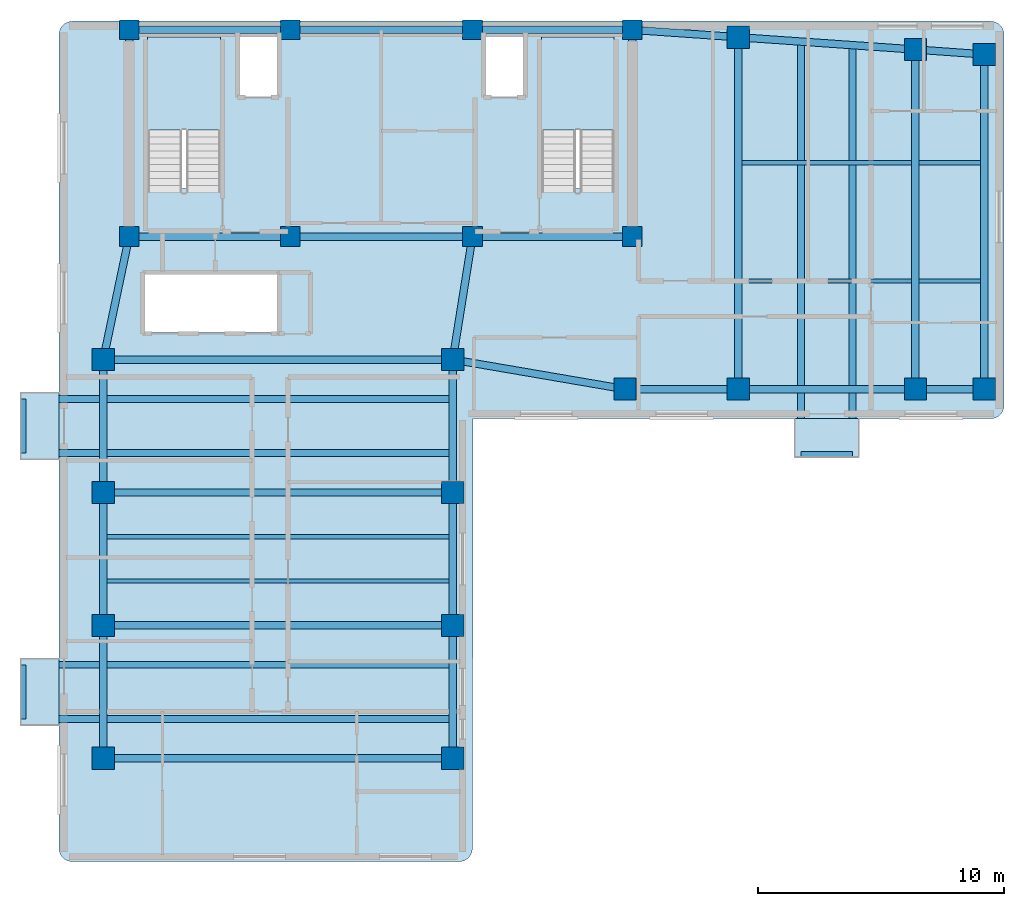
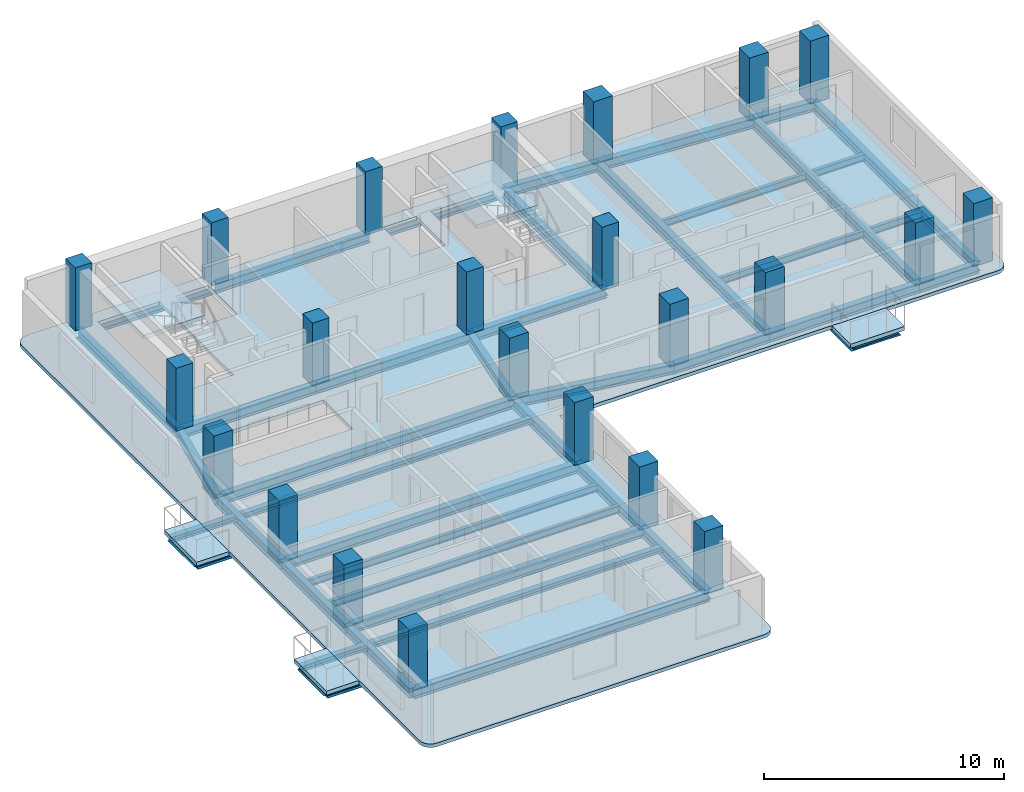
# One storey, part 1 of 7: 45 beams, 23 columns, 6 slabs, 2 elements without a shape of their own.
"""IFC4 building model written with IfcOpenShell, lengths in metres."""

from ifc_helpers import new_model, si_unit, direction, frame, origin, origin_2d, place, context, subcontext, project, spatial, polyline, rectangle, i_section, outline, extrude, material, layer, layer_set, material_profile, profile_set, type_object, element, aggregate, save


model = new_model("IFC4")

# Units and contexts
model_context = context("Model", 3, precision=1e-05, world=origin(), true_north=direction((0.0, 1.0)))
body_context = subcontext(model_context, "Body", "Model", "MODEL_VIEW")
ifc_project = project(units=[si_unit("LENGTHUNIT", "METRE"), si_unit("AREAUNIT", "SQUARE_METRE"), si_unit("VOLUMEUNIT", "CUBIC_METRE"), si_unit("PLANEANGLEUNIT", "RADIAN"), si_unit("MASSUNIT", "GRAM", prefix="KILO")], contexts=[model_context])

# Site, building, storey
site_placement = place(None, origin())
site = spatial("IfcSite", under=ifc_project, at=site_placement, CompositionType="ELEMENT")
building_placement = place(site_placement, origin())
building = spatial("IfcBuilding", under=site, at=building_placement, Name="Kuzgunbayir Cultural Tower", CompositionType="ELEMENT")
storey_placement = place(building_placement, frame((0.0, 0.0, 198.39990234375)))
storey = spatial("IfcBuildingStorey", under=building, at=storey_placement, Name="L58", CompositionType="ELEMENT", Elevation=198.39990234375)

# Columns
ifc_material_1 = material(Name="Concrete C50/60", Category="concrete")
ifc_material_profile_1 = material_profile(ifc_material_1, rectangle(XDim=0.800048828125, YDim=0.800048828125, at=origin_2d()), Name="RC 800x800")
ifc_profile_set_1 = profile_set([ifc_material_profile_1], Name="Concrete C50/60")
column_type_1 = type_object("IfcColumnType", Name="COL-CORE-800", PredefinedType="COLUMN", material=ifc_profile_set_1)
for number, where, z_axis, x_axis, name in (
    (1, (6.449951171875, 33.800048828125, 0.0), (0.0, 0.0, 1.0), (1.0, 0.0, 0.0), "L58 T1 Core Boundary Column CC1-1"),
    (2, (13.0, 33.800048828125, 0.0), (0.0, 0.0, 1.0), (1.0, 0.0, 0.0), "L58 T1 Core Boundary Column CC1-2"),
    (3, (20.39990234375, 33.800048828125, 0.0), (0.0, 0.0, 1.0), (1.0, 0.0, 0.0), "L58 T1 Core Boundary Column CC1-3"),
    (4, (26.89990234375, 33.800048828125, 0.0), (0.0, 0.0, 1.0), (1.0, 0.0, 0.0), "L58 T1 Core Boundary Column CC1-4"),
    (5, (6.449951171875, 42.199951171875, 0.0), (0.0, 0.0, 1.0), (1.0, 0.0, 0.0), "L58 T1 Core Boundary Column CC1-5"),
    (6, (13.0, 42.199951171875, 0.0), (0.0, 0.0, 1.0), (1.0, 0.0, 0.0), "L58 T1 Core Boundary Column CC1-6"),
    (7, (20.39990234375, 42.199951171875, 0.0), (0.0, 0.0, 1.0), (1.0, 0.0, 0.0), "L58 T1 Core Boundary Column CC1-7"),
    (8, (26.89990234375, 42.199951171875, 0.0), (0.0, 0.0, 1.0), (1.0, 0.0, 0.0), "L58 T1 Core Boundary Column CC1-8"),
):
    element("IfcColumn", number, at=place(storey_placement, frame(where, z_axis=z_axis, x_axis=x_axis)), inside=storey, type_object=column_type_1, Name=name, PredefinedType="COLUMN", context=body_context, shape_type="SweptSolid", body=[
        extrude(rectangle(XDim=0.800048828125, YDim=0.800048828125, at=origin_2d()), origin(), (0.0, 0.0, 1.0), 3.2001953125),
    ])
ifc_material_profile_2 = material_profile(ifc_material_1, rectangle(XDim=0.89990234375, YDim=0.89990234375, at=origin_2d()), Name="RC 900x900")
ifc_profile_set_2 = profile_set([ifc_material_profile_2], Name="Concrete C50/60")
column_type_2 = type_object("IfcColumnType", Name="COL-T1-900", PredefinedType="COLUMN", material=ifc_profile_set_2)
for number, where, z_axis, x_axis, name in (
    (9, (5.39990234375, 12.60009765625, 0.0), (0.0, 0.0, 1.0), (1.0, 0.0, 0.0), "L58 Tower 1 Wing A Column T1A-W-1"),
    (10, (19.60009765625, 12.60009765625, 0.0), (0.0, 0.0, 1.0), (1.0, 0.0, 0.0), "L58 Tower 1 Wing A Column T1A-E-1"),
    (11, (5.39990234375, 18.0, 0.0), (0.0, 0.0, 1.0), (1.0, 0.0, 0.0), "L58 Tower 1 Wing A Column T1A-W-2"),
    (12, (19.60009765625, 18.0, 0.0), (0.0, 0.0, 1.0), (1.0, 0.0, 0.0), "L58 Tower 1 Wing A Column T1A-E-2"),
    (13, (5.39990234375, 23.39990234375, 0.0), (0.0, 0.0, 1.0), (1.0, 0.0, 0.0), "L58 Tower 1 Wing A Column T1A-W-3"),
    (14, (19.60009765625, 23.39990234375, 0.0), (0.0, 0.0, 1.0), (1.0, 0.0, 0.0), "L58 Tower 1 Wing A Column T1A-E-3"),
    (15, (5.39990234375, 28.800048828125, 0.0), (0.0, 0.0, 1.0), (1.0, 0.0, 0.0), "L58 Tower 1 Wing A Column T1A-W-4"),
    (16, (19.60009765625, 28.800048828125, 0.0), (0.0, 0.0, 1.0), (1.0, 0.0, 0.0), "L58 Tower 1 Wing A Column T1A-E-4"),
    (17, (26.60009765625, 27.60009765625, 0.0), (0.0, 0.0, 1.0), (1.0, 0.0, 0.0), "L58 Tower 1 Wing B Column T1B-1-1"),
    (18, (31.199951171875, 27.60009765625, 0.0), (0.0, 0.0, 1.0), (1.0, 0.0, 0.0), "L58 Tower 1 Wing B Column T1B-2-1"),
    (19, (31.199951171875, 41.89990234375, 0.0), (0.0, 0.0, 1.0), (1.0, 0.0, 0.0), "L58 Tower 1 Wing B Column T1B-2-2"),
    (20, (38.39990234375, 27.60009765625, 0.0), (0.0, 0.0, 1.0), (1.0, 0.0, 0.0), "L58 Tower 1 Wing B Column T1B-3-1"),
    (21, (38.39990234375, 41.39990234375, 0.0), (0.0, 0.0, 1.0), (1.0, 0.0, 0.0), "L58 Tower 1 Wing B Column T1B-3-2"),
    (22, (41.199951171875, 27.60009765625, 0.0), (0.0, 0.0, 1.0), (1.0, 0.0, 0.0), "L58 Tower 1 Wing B Column T1B-4-1"),
    (23, (41.199951171875, 41.199951171875, 0.0), (0.0, 0.0, 1.0), (1.0, 0.0, 0.0), "L58 Tower 1 Wing B Column T1B-4-2"),
):
    element("IfcColumn", number, at=place(storey_placement, frame(where, z_axis=z_axis, x_axis=x_axis)), inside=storey, type_object=column_type_2, Name=name, PredefinedType="COLUMN", context=body_context, shape_type="SweptSolid", body=[
        extrude(rectangle(XDim=0.89990234375, YDim=0.89990234375, at=origin_2d()), origin(), (0.0, 0.0, 1.0), 3.2001953125),
    ])

# Beams
ifc_material_2 = material(Name="Steel S355J2", Category="steel")
ifc_material_profile_3 = material_profile(ifc_material_2, i_section(OverallWidth=0.280029296875, OverallDepth=0.280029296875, WebThickness=0.010498046875, FlangeThickness=0.01806640625, FilletRadius=0.02392578125, at=origin_2d()), Name="HEB 280")
ifc_profile_set_3 = profile_set([ifc_material_profile_3], Name="Steel S355J2")
beam_type_1 = type_object("IfcBeamType", Name="BM-BAL-HEB280", PredefinedType="BEAM", material=ifc_profile_set_3)
for number, where, z_axis, x_axis, name in (
    (24, (2.159912109375, 14.199951171875, -0.33984375), (1.0, 0.0, 0.0), (0.0, 1.0, 0.0), "L58 Balcony Outrigger Beam BAL-L58-WA1.1"),
    (25, (2.159912109375, 16.39990234375, -0.33984375), (1.0, 0.0, 0.0), (0.0, 1.0, 0.0), "L58 Balcony Outrigger Beam BAL-L58-WA1.2"),
    (26, (2.159912109375, 25.0, -0.33984375), (1.0, 0.0, 0.0), (0.0, 1.0, 0.0), "L58 Balcony Outrigger Beam BAL-L58-WA3.1"),
    (27, (2.159912109375, 27.199951171875, -0.33984375), (1.0, 0.0, 0.0), (0.0, 1.0, 0.0), "L58 Balcony Outrigger Beam BAL-L58-WA3.2"),
):
    element("IfcBeam", number, at=place(storey_placement, frame(where, z_axis=z_axis, x_axis=x_axis)), inside=storey, type_object=beam_type_1, Name=name, PredefinedType="BEAM", context=body_context, shape_type="SweptSolid", body=[
        extrude(i_section(OverallWidth=0.280029296875, OverallDepth=0.280029296875, WebThickness=0.010498046875, FlangeThickness=0.01806640625, FilletRadius=0.02392578125, at=origin_2d()), origin(), (0.0, 0.0, 1.0), 17.440185546875),
    ])
beam_1_placement = place(storey_placement, frame((33.75, 24.9599609375, -0.33984375), z_axis=(0.0, 1.0, 0.0), x_axis=(-1.0, 0.0, 0.0)))
element("IfcBeam", 28, at=beam_1_placement, inside=storey, type_object=beam_type_1, Name="L58 Balcony Outrigger Beam BAL-L58-WB2.1", PredefinedType="BEAM", context=body_context, shape_type="SweptSolid", body=[
    extrude(i_section(OverallWidth=0.280029296875, OverallDepth=0.280029296875, WebThickness=0.010498046875, FlangeThickness=0.01806640625, FilletRadius=0.02392578125, at=origin_2d()), origin(), (0.0, 0.0, 1.0), 16.760009765625),
])
beam_2_placement = place(storey_placement, frame((35.85009765625, 24.9599609375, -0.33984375), z_axis=(0.0, 1.0, 0.0), x_axis=(-1.0, 0.0, 0.0)))
element("IfcBeam", 29, at=beam_2_placement, inside=storey, type_object=beam_type_1, Name="L58 Balcony Outrigger Beam BAL-L58-WB2.2", PredefinedType="BEAM", context=body_context, shape_type="SweptSolid", body=[
    extrude(i_section(OverallWidth=0.280029296875, OverallDepth=0.280029296875, WebThickness=0.010498046875, FlangeThickness=0.01806640625, FilletRadius=0.02392578125, at=origin_2d()), origin(), (0.0, 0.0, 1.0), 16.6201171875),
])
ifc_material_profile_4 = material_profile(ifc_material_2, i_section(OverallWidth=0.199951171875, OverallDepth=0.199951171875, WebThickness=0.009033203125, FlangeThickness=0.014892578125, FilletRadius=0.01806640625, at=origin_2d()), Name="HEB 200")
ifc_profile_set_4 = profile_set([ifc_material_profile_4], Name="Steel S355J2")
beam_type_2 = type_object("IfcBeamType", Name="BM-CAN-HEB200", PredefinedType="BEAM", material=ifc_profile_set_4)
for number, where, z_axis, x_axis, name in (
    (30, (2.159912109375, 14.199951171875, -0.2998046875), (0.0, 1.0, 0.0), (-1.0, 0.0, 0.0), "L58 Balcony Edge Header BAL-L58-WA1"),
    (31, (2.159912109375, 25.0, -0.2998046875), (0.0, 1.0, 0.0), (-1.0, 0.0, 0.0), "L58 Balcony Edge Header BAL-L58-WA3"),
):
    element("IfcBeam", number, at=place(storey_placement, frame(where, z_axis=z_axis, x_axis=x_axis)), inside=storey, type_object=beam_type_2, Name=name, PredefinedType="BEAM", context=body_context, shape_type="SweptSolid", body=[
        extrude(i_section(OverallWidth=0.199951171875, OverallDepth=0.199951171875, WebThickness=0.009033203125, FlangeThickness=0.014892578125, FilletRadius=0.01806640625, at=origin_2d()), origin(), (0.0, 0.0, 1.0), 2.199951171875),
    ])
beam_3_placement = place(storey_placement, frame((33.75, 24.9599609375, -0.2998046875), z_axis=(1.0, 0.0, 0.0), x_axis=(0.0, 1.0, 0.0)))
element("IfcBeam", 32, at=beam_3_placement, inside=storey, type_object=beam_type_2, Name="L58 Balcony Edge Header BAL-L58-WB2", PredefinedType="BEAM", context=body_context, shape_type="SweptSolid", body=[
    extrude(i_section(OverallWidth=0.199951171875, OverallDepth=0.199951171875, WebThickness=0.009033203125, FlangeThickness=0.014892578125, FilletRadius=0.01806640625, at=origin_2d()), origin(), (0.0, 0.0, 1.0), 2.10009765625),
])
ifc_material_profile_5 = material_profile(ifc_material_2, i_section(OverallWidth=0.300048828125, OverallDepth=0.5, WebThickness=0.014404296875, FlangeThickness=0.028076171875, FilletRadius=0.027099609375, at=origin_2d()), Name="HEB 500")
ifc_profile_set_5 = profile_set([ifc_material_profile_5], Name="Steel S355J2")
beam_type_3 = type_object("IfcBeamType", Name="BM-EXT-HEB500", PredefinedType="BEAM", material=ifc_profile_set_5)
for number, where, z_axis, x_axis, name in (
    (33, (5.39990234375, 12.60009765625, -0.429931640625), (0.0, 1.0, 0.0), (-1.0, 0.0, 0.0), "L58 Wing A West Girder 1"),
    (34, (19.60009765625, 12.60009765625, -0.429931640625), (0.0, 1.0, 0.0), (-1.0, 0.0, 0.0), "L58 Wing A East Girder 1"),
    (35, (5.39990234375, 18.0, -0.429931640625), (0.0, 1.0, 0.0), (-1.0, 0.0, 0.0), "L58 Wing A West Girder 2"),
    (36, (19.60009765625, 18.0, -0.429931640625), (0.0, 1.0, 0.0), (-1.0, 0.0, 0.0), "L58 Wing A East Girder 2"),
):
    element("IfcBeam", number, at=place(storey_placement, frame(where, z_axis=z_axis, x_axis=x_axis)), inside=storey, type_object=beam_type_3, Name=name, PredefinedType="BEAM", context=body_context, shape_type="SweptSolid", body=[
        extrude(i_section(OverallWidth=0.300048828125, OverallDepth=0.5, WebThickness=0.014404296875, FlangeThickness=0.028076171875, FilletRadius=0.027099609375, at=origin_2d()), origin(), (0.0, 0.0, 1.0), 5.39990234375),
    ])
for number, where, z_axis, x_axis, name in (
    (37, (5.39990234375, 23.39990234375, -0.429931640625), (0.0, 1.0, 0.0), (-1.0, 0.0, 0.0), "L58 Wing A West Girder 3"),
    (38, (19.60009765625, 23.39990234375, -0.429931640625), (0.0, 1.0, 0.0), (-1.0, 0.0, 0.0), "L58 Wing A East Girder 3"),
):
    element("IfcBeam", number, at=place(storey_placement, frame(where, z_axis=z_axis, x_axis=x_axis)), inside=storey, type_object=beam_type_3, Name=name, PredefinedType="BEAM", context=body_context, shape_type="SweptSolid", body=[
        extrude(i_section(OverallWidth=0.300048828125, OverallDepth=0.5, WebThickness=0.014404296875, FlangeThickness=0.028076171875, FilletRadius=0.027099609375, at=origin_2d()), origin(), (0.0, 0.0, 1.0), 5.400146484375),
    ])
beam_4_placement = place(storey_placement, frame((26.60009765625, 27.60009765625, -0.429931640625), z_axis=(1.0, 0.0, 0.0), x_axis=(0.0, 1.0, 0.0)))
element("IfcBeam", 39, at=beam_4_placement, inside=storey, type_object=beam_type_3, Name="L58 Wing B South Girder 1", PredefinedType="BEAM", context=body_context, shape_type="SweptSolid", body=[
    extrude(i_section(OverallWidth=0.300048828125, OverallDepth=0.5, WebThickness=0.014404296875, FlangeThickness=0.028076171875, FilletRadius=0.027099609375, at=origin_2d()), origin(), (0.0, 0.0, 1.0), 4.599853515625),
])
beam_5_placement = place(storey_placement, frame((26.89990234375, 42.199951171875, -0.429931640625), z_axis=(0.997574369175, -0.069608749203, 0.0), x_axis=(0.069608749203, 0.997574369175, 0.0)))
element("IfcBeam", 40, at=beam_5_placement, inside=storey, type_object=beam_type_3, Name="L58 Wing B North Girder 1", PredefinedType="BEAM", context=body_context, shape_type="SweptSolid", body=[
    extrude(i_section(OverallWidth=0.300048828125, OverallDepth=0.5, WebThickness=0.014404296875, FlangeThickness=0.028076171875, FilletRadius=0.027099609375, at=origin_2d()), origin(), (0.0, 0.0, 1.0), 4.310546875),
])
beam_6_placement = place(storey_placement, frame((31.199951171875, 27.60009765625, -0.429931640625), z_axis=(1.0, 0.0, 0.0), x_axis=(0.0, 1.0, 0.0)))
element("IfcBeam", 41, at=beam_6_placement, inside=storey, type_object=beam_type_3, Name="L58 Wing B South Girder 2", PredefinedType="BEAM", context=body_context, shape_type="SweptSolid", body=[
    extrude(i_section(OverallWidth=0.300048828125, OverallDepth=0.5, WebThickness=0.014404296875, FlangeThickness=0.028076171875, FilletRadius=0.027099609375, at=origin_2d()), origin(), (0.0, 0.0, 1.0), 7.199951171875),
])
beam_7_placement = place(storey_placement, frame((31.199951171875, 41.89990234375, -0.429931640625), z_axis=(0.997597388498, -0.069278066245, 0.0), x_axis=(0.069278066245, 0.997597388498, 0.0)))
element("IfcBeam", 42, at=beam_7_placement, inside=storey, type_object=beam_type_3, Name="L58 Wing B North Girder 2", PredefinedType="BEAM", context=body_context, shape_type="SweptSolid", body=[
    extrude(i_section(OverallWidth=0.300048828125, OverallDepth=0.5, WebThickness=0.014404296875, FlangeThickness=0.028076171875, FilletRadius=0.027099609375, at=origin_2d()), origin(), (0.0, 0.0, 1.0), 7.21728515625),
])
beam_8_placement = place(storey_placement, frame((38.39990234375, 27.60009765625, -0.429931640625), z_axis=(1.0, 0.0, 0.0), x_axis=(0.0, 1.0, 0.0)))
element("IfcBeam", 43, at=beam_8_placement, inside=storey, type_object=beam_type_3, Name="L58 Wing B South Girder 3", PredefinedType="BEAM", context=body_context, shape_type="SweptSolid", body=[
    extrude(i_section(OverallWidth=0.300048828125, OverallDepth=0.5, WebThickness=0.014404296875, FlangeThickness=0.028076171875, FilletRadius=0.027099609375, at=origin_2d()), origin(), (0.0, 0.0, 1.0), 2.800048828125),
])
beam_9_placement = place(storey_placement, frame((38.39990234375, 41.39990234375, -0.429931640625), z_axis=(0.997460024076, -0.071228508128, 0.0), x_axis=(0.071228508128, 0.997460024076, 0.0)))
element("IfcBeam", 44, at=beam_9_placement, inside=storey, type_object=beam_type_3, Name="L58 Wing B North Girder 3", PredefinedType="BEAM", context=body_context, shape_type="SweptSolid", body=[
    extrude(i_section(OverallWidth=0.300048828125, OverallDepth=0.5, WebThickness=0.014404296875, FlangeThickness=0.028076171875, FilletRadius=0.027099609375, at=origin_2d()), origin(), (0.0, 0.0, 1.0), 2.80712890625),
])
ifc_material_profile_6 = material_profile(ifc_material_2, i_section(OverallWidth=0.300048828125, OverallDepth=0.5, WebThickness=0.014404296875, FlangeThickness=0.028076171875, FilletRadius=0.027099609375, at=origin_2d()), Name="HEB 500")
ifc_profile_set_6 = profile_set([ifc_material_profile_6], Name="Steel S355J2")
beam_type_4 = type_object("IfcBeamType", Name="BM-GIR-HEB500", PredefinedType="BEAM", material=ifc_profile_set_6)
beam_10_placement = place(storey_placement, frame((6.449951171875, 33.800048828125, -0.429931640625), z_axis=(1.0, 0.0, 0.0), x_axis=(0.0, 1.0, 0.0)))
element("IfcBeam", 45, at=beam_10_placement, inside=storey, type_object=beam_type_4, Name="L58 Core South Girder 1", PredefinedType="BEAM", context=body_context, shape_type="SweptSolid", body=[
    extrude(i_section(OverallWidth=0.300048828125, OverallDepth=0.5, WebThickness=0.014404296875, FlangeThickness=0.028076171875, FilletRadius=0.027099609375, at=origin_2d()), origin(), (0.0, 0.0, 1.0), 6.550048828125),
])
beam_11_placement = place(storey_placement, frame((13.0, 33.800048828125, -0.429931640625), z_axis=(1.0, 0.0, 0.0), x_axis=(0.0, 1.0, 0.0)))
element("IfcBeam", 46, at=beam_11_placement, inside=storey, type_object=beam_type_4, Name="L58 Core South Girder 2", PredefinedType="BEAM", context=body_context, shape_type="SweptSolid", body=[
    extrude(i_section(OverallWidth=0.300048828125, OverallDepth=0.5, WebThickness=0.014404296875, FlangeThickness=0.028076171875, FilletRadius=0.027099609375, at=origin_2d()), origin(), (0.0, 0.0, 1.0), 7.39990234375),
])
beam_12_placement = place(storey_placement, frame((20.39990234375, 33.800048828125, -0.429931640625), z_axis=(1.0, 0.0, 0.0), x_axis=(0.0, 1.0, 0.0)))
element("IfcBeam", 47, at=beam_12_placement, inside=storey, type_object=beam_type_4, Name="L58 Core South Girder 3", PredefinedType="BEAM", context=body_context, shape_type="SweptSolid", body=[
    extrude(i_section(OverallWidth=0.300048828125, OverallDepth=0.5, WebThickness=0.014404296875, FlangeThickness=0.028076171875, FilletRadius=0.027099609375, at=origin_2d()), origin(), (0.0, 0.0, 1.0), 6.5),
])
beam_13_placement = place(storey_placement, frame((6.449951171875, 42.199951171875, -0.429931640625), z_axis=(1.0, 0.0, 0.0), x_axis=(0.0, 1.0, 0.0)))
element("IfcBeam", 48, at=beam_13_placement, inside=storey, type_object=beam_type_4, Name="L58 Core North Girder 1", PredefinedType="BEAM", context=body_context, shape_type="SweptSolid", body=[
    extrude(i_section(OverallWidth=0.300048828125, OverallDepth=0.5, WebThickness=0.014404296875, FlangeThickness=0.028076171875, FilletRadius=0.027099609375, at=origin_2d()), origin(), (0.0, 0.0, 1.0), 6.550048828125),
])
beam_14_placement = place(storey_placement, frame((13.0, 42.199951171875, -0.429931640625), z_axis=(1.0, 0.0, 0.0), x_axis=(0.0, 1.0, 0.0)))
element("IfcBeam", 49, at=beam_14_placement, inside=storey, type_object=beam_type_4, Name="L58 Core North Girder 2", PredefinedType="BEAM", context=body_context, shape_type="SweptSolid", body=[
    extrude(i_section(OverallWidth=0.300048828125, OverallDepth=0.5, WebThickness=0.014404296875, FlangeThickness=0.028076171875, FilletRadius=0.027099609375, at=origin_2d()), origin(), (0.0, 0.0, 1.0), 7.39990234375),
])
beam_15_placement = place(storey_placement, frame((20.39990234375, 42.199951171875, -0.429931640625), z_axis=(1.0, 0.0, 0.0), x_axis=(0.0, 1.0, 0.0)))
element("IfcBeam", 50, at=beam_15_placement, inside=storey, type_object=beam_type_4, Name="L58 Core North Girder 3", PredefinedType="BEAM", context=body_context, shape_type="SweptSolid", body=[
    extrude(i_section(OverallWidth=0.300048828125, OverallDepth=0.5, WebThickness=0.014404296875, FlangeThickness=0.028076171875, FilletRadius=0.027099609375, at=origin_2d()), origin(), (0.0, 0.0, 1.0), 6.5),
])
for number, where, z_axis, x_axis, name in (
    (51, (6.449951171875, 33.800048828125, -0.429931640625), (0.0, 1.0, 0.0), (-1.0, 0.0, 0.0), "L58 Core West Edge Girder"),
    (52, (26.89990234375, 33.800048828125, -0.429931640625), (0.0, 1.0, 0.0), (-1.0, 0.0, 0.0), "L58 Core East Edge Girder"),
):
    element("IfcBeam", number, at=place(storey_placement, frame(where, z_axis=z_axis, x_axis=x_axis)), inside=storey, type_object=beam_type_4, Name=name, PredefinedType="BEAM", context=body_context, shape_type="SweptSolid", body=[
        extrude(i_section(OverallWidth=0.300048828125, OverallDepth=0.5, WebThickness=0.014404296875, FlangeThickness=0.028076171875, FilletRadius=0.027099609375, at=origin_2d()), origin(), (0.0, 0.0, 1.0), 8.39990234375),
    ])
for number, where, z_axis, x_axis, name in (
    (53, (5.39990234375, 12.60009765625, -0.429931640625), (1.0, 0.0, 0.0), (0.0, 1.0, 0.0), "L58 Wing A Transverse Girder 1"),
    (54, (5.39990234375, 18.0, -0.429931640625), (1.0, 0.0, 0.0), (0.0, 1.0, 0.0), "L58 Wing A Transverse Girder 2"),
    (55, (5.39990234375, 23.39990234375, -0.429931640625), (1.0, 0.0, 0.0), (0.0, 1.0, 0.0), "L58 Wing A Transverse Girder 3"),
    (56, (5.39990234375, 28.800048828125, -0.429931640625), (1.0, 0.0, 0.0), (0.0, 1.0, 0.0), "L58 Wing A Transverse Girder 4"),
):
    element("IfcBeam", number, at=place(storey_placement, frame(where, z_axis=z_axis, x_axis=x_axis)), inside=storey, type_object=beam_type_4, Name=name, PredefinedType="BEAM", context=body_context, shape_type="SweptSolid", body=[
        extrude(i_section(OverallWidth=0.300048828125, OverallDepth=0.5, WebThickness=0.014404296875, FlangeThickness=0.028076171875, FilletRadius=0.027099609375, at=origin_2d()), origin(), (0.0, 0.0, 1.0), 14.2001953125),
    ])
beam_16_placement = place(storey_placement, frame((5.39990234375, 28.800048828125, -0.429931640625), z_axis=(0.205526387753, 0.978651574329, 0.0), x_axis=(-0.978651574329, 0.205526387753, 0.0)))
element("IfcBeam", 57, at=beam_16_placement, inside=storey, type_object=beam_type_4, Name="L58 Wing A West Core Floor Girder", PredefinedType="BEAM", context=body_context, shape_type="SweptSolid", body=[
    extrude(i_section(OverallWidth=0.300048828125, OverallDepth=0.5, WebThickness=0.014404296875, FlangeThickness=0.028076171875, FilletRadius=0.027099609375, at=origin_2d()), origin(), (0.0, 0.0, 1.0), 5.109130859375),
])
beam_17_placement = place(storey_placement, frame((19.60009765625, 28.800048828125, -0.429931640625), z_axis=(0.157952891656, 0.987446648694, 0.0), x_axis=(-0.987446648694, 0.157952891656, 0.0)))
element("IfcBeam", 58, at=beam_17_placement, inside=storey, type_object=beam_type_4, Name="L58 Wing A East Core Floor Girder", PredefinedType="BEAM", context=body_context, shape_type="SweptSolid", body=[
    extrude(i_section(OverallWidth=0.300048828125, OverallDepth=0.5, WebThickness=0.014404296875, FlangeThickness=0.028076171875, FilletRadius=0.027099609375, at=origin_2d()), origin(), (0.0, 0.0, 1.0), 5.0634765625),
])
beam_18_placement = place(storey_placement, frame((31.199951171875, 27.60009765625, -0.429931640625), z_axis=(0.0, 1.0, 0.0), x_axis=(-1.0, 0.0, 0.0)))
element("IfcBeam", 59, at=beam_18_placement, inside=storey, type_object=beam_type_4, Name="L58 Wing B Cross Girder 31", PredefinedType="BEAM", context=body_context, shape_type="SweptSolid", body=[
    extrude(i_section(OverallWidth=0.300048828125, OverallDepth=0.5, WebThickness=0.014404296875, FlangeThickness=0.028076171875, FilletRadius=0.027099609375, at=origin_2d()), origin(), (0.0, 0.0, 1.0), 14.2998046875),
])
beam_19_placement = place(storey_placement, frame((38.39990234375, 27.60009765625, -0.429931640625), z_axis=(0.0, 1.0, 0.0), x_axis=(-1.0, 0.0, 0.0)))
element("IfcBeam", 60, at=beam_19_placement, inside=storey, type_object=beam_type_4, Name="L58 Wing B Cross Girder 38", PredefinedType="BEAM", context=body_context, shape_type="SweptSolid", body=[
    extrude(i_section(OverallWidth=0.300048828125, OverallDepth=0.5, WebThickness=0.014404296875, FlangeThickness=0.028076171875, FilletRadius=0.027099609375, at=origin_2d()), origin(), (0.0, 0.0, 1.0), 13.7998046875),
])
beam_20_placement = place(storey_placement, frame((41.199951171875, 27.60009765625, -0.429931640625), z_axis=(0.0, 1.0, 0.0), x_axis=(-1.0, 0.0, 0.0)))
element("IfcBeam", 61, at=beam_20_placement, inside=storey, type_object=beam_type_4, Name="L58 Wing B Cross Girder 41", PredefinedType="BEAM", context=body_context, shape_type="SweptSolid", body=[
    extrude(i_section(OverallWidth=0.300048828125, OverallDepth=0.5, WebThickness=0.014404296875, FlangeThickness=0.028076171875, FilletRadius=0.027099609375, at=origin_2d()), origin(), (0.0, 0.0, 1.0), 13.599853515625),
])
beam_21_placement = place(storey_placement, frame((19.60009765625, 28.800048828125, -0.429931640625), z_axis=(0.985623399742, -0.168957136221, 0.0), x_axis=(0.168957136221, 0.985623399742, 0.0)))
element("IfcBeam", 62, at=beam_21_placement, inside=storey, type_object=beam_type_4, Name="L58 Wing B Waist Tie Girder", PredefinedType="BEAM", context=body_context, shape_type="SweptSolid", body=[
    extrude(i_section(OverallWidth=0.300048828125, OverallDepth=0.5, WebThickness=0.014404296875, FlangeThickness=0.028076171875, FilletRadius=0.027099609375, at=origin_2d()), origin(), (0.0, 0.0, 1.0), 7.10205078125),
])
ifc_material_profile_7 = material_profile(ifc_material_2, i_section(OverallWidth=0.169921875, OverallDepth=0.360107421875, WebThickness=0.008056640625, FlangeThickness=0.0126953125, FilletRadius=0.01806640625, at=origin_2d()), Name="IPE 360")
ifc_profile_set_7 = profile_set([ifc_material_profile_7], Name="Steel S355J2")
beam_type_5 = type_object("IfcBeamType", Name="BM-JST-IPE360", PredefinedType="JOIST", material=ifc_profile_set_7)
for number, where, z_axis, x_axis, name in (
    (63, (5.550048828125, 19.800048828125, -0.35986328125), (1.0, 0.0, 0.0), (0.0, 1.0, 0.0), "L58 Wing A Secondary Joist 3"),
    (64, (5.550048828125, 21.60009765625, -0.35986328125), (1.0, 0.0, 0.0), (0.0, 1.0, 0.0), "L58 Wing A Secondary Joist 4"),
):
    element("IfcBeam", number, at=place(storey_placement, frame(where, z_axis=z_axis, x_axis=x_axis)), inside=storey, type_object=beam_type_5, Name=name, PredefinedType="JOIST", context=body_context, shape_type="SweptSolid", body=[
        extrude(i_section(OverallWidth=0.169921875, OverallDepth=0.360107421875, WebThickness=0.008056640625, FlangeThickness=0.0126953125, FilletRadius=0.01806640625, at=origin_2d()), origin(), (0.0, 0.0, 1.0), 13.89990234375),
    ])
for number, where, z_axis, x_axis, name in (
    (65, (31.35009765625, 32.0, -0.35986328125), (1.0, 0.0, 0.0), (0.0, 1.0, 0.0), "L58 Wing B Secondary Joist 1.1"),
    (66, (31.35009765625, 36.800048828125, -0.35986328125), (1.0, 0.0, 0.0), (0.0, 1.0, 0.0), "L58 Wing B Secondary Joist 1.2"),
):
    element("IfcBeam", number, at=place(storey_placement, frame(where, z_axis=z_axis, x_axis=x_axis)), inside=storey, type_object=beam_type_5, Name=name, PredefinedType="JOIST", context=body_context, shape_type="SweptSolid", body=[
        extrude(i_section(OverallWidth=0.169921875, OverallDepth=0.360107421875, WebThickness=0.008056640625, FlangeThickness=0.0126953125, FilletRadius=0.01806640625, at=origin_2d()), origin(), (0.0, 0.0, 1.0), 6.89990234375),
    ])
for number, where, z_axis, x_axis, name in (
    (67, (38.550048828125, 32.0, -0.35986328125), (1.0, 0.0, 0.0), (0.0, 1.0, 0.0), "L58 Wing B Secondary Joist 2.1"),
    (68, (38.550048828125, 36.800048828125, -0.35986328125), (1.0, 0.0, 0.0), (0.0, 1.0, 0.0), "L58 Wing B Secondary Joist 2.2"),
):
    element("IfcBeam", number, at=place(storey_placement, frame(where, z_axis=z_axis, x_axis=x_axis)), inside=storey, type_object=beam_type_5, Name=name, PredefinedType="JOIST", context=body_context, shape_type="SweptSolid", body=[
        extrude(i_section(OverallWidth=0.169921875, OverallDepth=0.360107421875, WebThickness=0.008056640625, FlangeThickness=0.0126953125, FilletRadius=0.01806640625, at=origin_2d()), origin(), (0.0, 0.0, 1.0), 2.5),
    ])

# Slabs
ifc_material_3 = material(Name="Concrete C40/50", Category="concrete")
ifc_layer_1 = layer(ifc_material_3, 0.199951171875)
ifc_layer_set_1 = layer_set([ifc_layer_1], Name="Concrete C40/50")
slab_type_1 = type_object("IfcSlabType", Name="SLB-BAL-STONE", PredefinedType="FLOOR", material=ifc_layer_set_1)
slab_1_placement = place(storey_placement, frame((0.0, 0.0, -0.199951171875)))
element("IfcSlab", 69, at=slab_1_placement, inside=storey, type_object=slab_type_1, Name="L58 Projecting Limestone Balcony BAL-L58-WA1", PredefinedType="FLOOR", context=body_context, shape_type="SweptSolid", body=[
    extrude(outline(polyline([(2.0400390625, 13.949951171875), (3.60009765625, 13.949951171875), (3.60009765625, 16.64990234375), (2.0400390625, 16.64990234375), (2.0400390625, 13.949951171875)])), origin(), (0.0, 0.0, 1.0), 0.199951171875),
])
slab_2_placement = place(storey_placement, frame((0.0, 0.0, -0.199951171875)))
element("IfcSlab", 70, at=slab_2_placement, inside=storey, type_object=slab_type_1, Name="L58 Projecting Limestone Balcony BAL-L58-WA3", PredefinedType="FLOOR", context=body_context, shape_type="SweptSolid", body=[
    extrude(outline(polyline([(2.0400390625, 24.75), (3.60009765625, 24.75), (3.60009765625, 27.449951171875), (2.0400390625, 27.449951171875), (2.0400390625, 24.75)])), origin(), (0.0, 0.0, 1.0), 0.199951171875),
])
slab_3_placement = place(storey_placement, frame((0.0, 0.0, -0.199951171875)))
element("IfcSlab", 71, at=slab_3_placement, inside=storey, type_object=slab_type_1, Name="L58 Projecting Limestone Balcony BAL-L58-WB2", PredefinedType="FLOOR", context=body_context, shape_type="SweptSolid", body=[
    extrude(outline(polyline([(33.5, 24.840087890625), (36.10009765625, 24.840087890625), (36.10009765625, 26.39990234375), (33.5, 26.39990234375), (33.5, 24.840087890625)])), origin(), (0.0, 0.0, 1.0), 0.199951171875),
])

# Stair, slab
stair_type = type_object("IfcStairType", Name="STR-EXIT-CORE", PredefinedType="HALF_TURN_STAIR", material=ifc_material_3)
stair_1_placement = place(storey_placement, origin())
stair_1 = element("IfcStair", 72, at=stair_1_placement, inside=storey, type_object=stair_type, Name="L58 ST-1", PredefinedType="HALF_TURN_STAIR")
ifc_layer_2 = layer(ifc_material_3, 0.179931640625)
ifc_layer_set_2 = layer_set([ifc_layer_2], Name="Concrete C40/50")
slab_type_2 = type_object("IfcSlabType", Name="SLB-LANDING-180", PredefinedType="LANDING", material=ifc_layer_set_2)
slab_4_placement = place(storey_placement, frame((0.0, 0.0, 1.400146484375)))
slab_4 = element("IfcSlab", 73, at=slab_4_placement, type_object=slab_type_2, Name="ST-1 landing 1", PredefinedType="LANDING", context=body_context, shape_type="SweptSolid", body=[
    extrude(outline(polyline([(10.159912109375, 38.1201171875), (10.159912109375, 41.89990234375), (7.199951171875, 41.89990234375), (7.199951171875, 38.1201171875), (10.159912109375, 38.1201171875)])), origin(), (0.0, 0.0, 1.0), 0.199951171875),
])
aggregate(stair_1, [slab_4])

stair_2_placement = place(storey_placement, origin())
stair_2 = element("IfcStair", 74, at=stair_2_placement, inside=storey, type_object=stair_type, Name="L58 ST-2", PredefinedType="HALF_TURN_STAIR")
slab_5_placement = place(storey_placement, frame((0.0, 0.0, 1.400146484375)))
slab_5 = element("IfcSlab", 75, at=slab_5_placement, type_object=slab_type_2, Name="ST-2 landing 1", PredefinedType="LANDING", context=body_context, shape_type="SweptSolid", body=[
    extrude(outline(polyline([(26.159912109375, 38.1201171875), (26.159912109375, 41.89990234375), (23.199951171875, 41.89990234375), (23.199951171875, 38.1201171875), (26.159912109375, 38.1201171875)])), origin(), (0.0, 0.0, 1.0), 0.199951171875),
])
aggregate(stair_2, [slab_5])

# Slab
ifc_layer_3 = layer(ifc_material_3, 0.179931640625)
ifc_layer_set_3 = layer_set([ifc_layer_3], Name="Concrete C40/50")
slab_type_3 = type_object("IfcSlabType", Name="SLB-TYP-180", PredefinedType="FLOOR", material=ifc_layer_set_3)
slab_6_placement = place(storey_placement, frame((0.0, 0.0, -0.179931640625)))
element("IfcSlab", 76, at=slab_6_placement, inside=storey, type_object=slab_type_3, Name="L58 Tower 1 Floor Slab T1-MAIN", PredefinedType="FLOOR", context=body_context, shape_type="SweptSolid", body=[
    extrude(outline(polyline([(20.39990234375, 8.949951171875), (20.389892578125, 8.840087890625), (20.360107421875, 8.739990234375), (20.31005859375, 8.639892578125), (20.239990234375, 8.56005859375), (20.159912109375, 8.489990234375), (20.06005859375, 8.43994140625), (19.9599609375, 8.409912109375), (19.85009765625, 8.39990234375), (4.14990234375, 8.39990234375), (4.0400390625, 8.409912109375), (3.93994140625, 8.43994140625), (3.840087890625, 8.489990234375), (3.760009765625, 8.56005859375), (3.68994140625, 8.639892578125), (3.639892578125, 8.739990234375), (3.610107421875, 8.840087890625), (3.60009765625, 8.949951171875), (3.60009765625, 42.0), (3.610107421875, 42.110107421875), (3.639892578125, 42.2099609375), (3.68994140625, 42.31005859375), (3.760009765625, 42.389892578125), (3.840087890625, 42.4599609375), (3.93994140625, 42.510009765625), (4.0400390625, 42.5400390625), (4.14990234375, 42.550048828125), (41.449951171875, 42.550048828125), (41.56005859375, 42.5400390625), (41.659912109375, 42.510009765625), (41.760009765625, 42.4599609375), (41.840087890625, 42.389892578125), (41.909912109375, 42.31005859375), (41.9599609375, 42.2099609375), (41.989990234375, 42.110107421875), (42.0, 42.0), (42.0, 26.949951171875), (41.989990234375, 26.840087890625), (41.9599609375, 26.739990234375), (41.909912109375, 26.639892578125), (41.840087890625, 26.56005859375), (41.760009765625, 26.489990234375), (41.659912109375, 26.43994140625), (41.56005859375, 26.409912109375), (41.449951171875, 26.39990234375), (20.429931640625, 26.39990234375), (20.39990234375, 8.949951171875)]), holes=[polyline([(7.199951171875, 35.760009765625), (7.199951171875, 41.89990234375), (10.159912109375, 41.89990234375), (10.159912109375, 35.760009765625), (7.199951171875, 35.760009765625)]), polyline([(23.199951171875, 35.760009765625), (23.199951171875, 41.89990234375), (26.159912109375, 41.89990234375), (26.159912109375, 35.760009765625), (23.199951171875, 35.760009765625)]), polyline([(7.10009765625, 29.89990234375), (7.10009765625, 32.300048828125), (12.5, 32.300048828125), (12.5, 29.89990234375), (7.10009765625, 29.89990234375)]), polyline([(10.89990234375, 39.5), (10.89990234375, 41.89990234375), (12.5, 41.89990234375), (12.5, 39.5), (10.89990234375, 39.5)]), polyline([(20.89990234375, 39.5), (20.89990234375, 41.89990234375), (22.5, 41.89990234375), (22.5, 39.5), (20.89990234375, 39.5)])]), origin(), (0.0, 0.0, 1.0), 0.179931640625),
])

save(model, "model.ifc")
